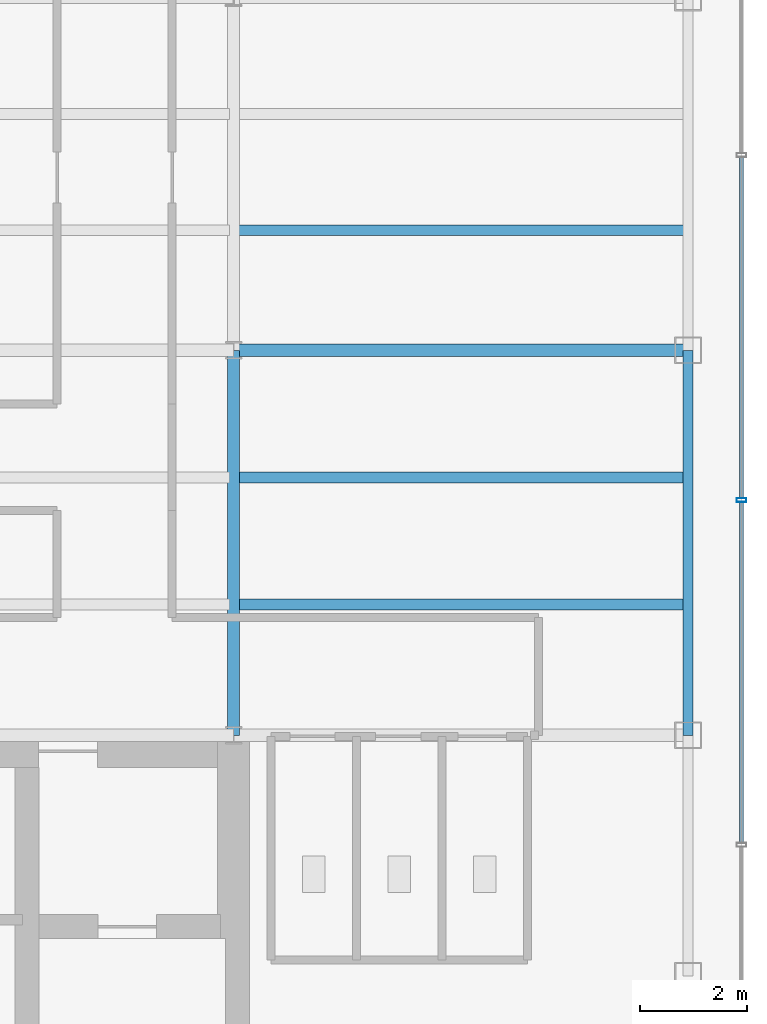
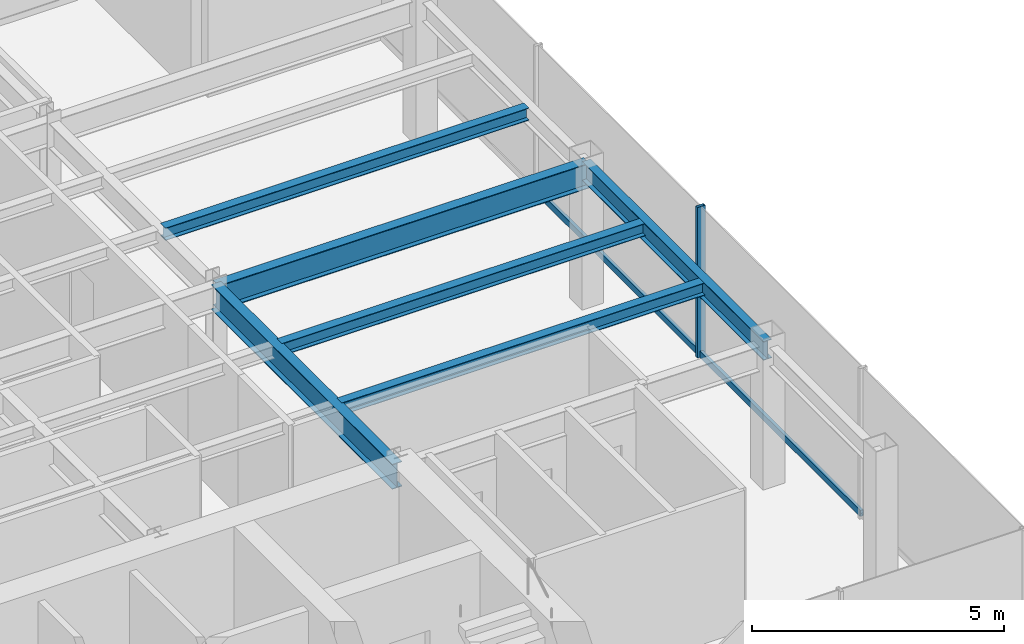
# One storey, part 10 of 22: 6 beams, 3 members, 1 element without a shape of its own.
"""IFC4 building model written with IfcOpenShell, lengths in metres."""

from ifc_helpers import new_model, si_unit, derived_unit, direction, frame, origin, origin_2d, place, context, subcontext, project, spatial, hollow_rectangle, i_section, extrude, source, transform, mapped, material, material_profile, profile_set, type_object, element, aggregate, save


model = new_model("IFC4")

# Units and contexts
model_context = context("Model", 3, precision=1e-05, world=origin(), true_north=direction((0.0, 1.0)))
body_context = subcontext(model_context, "Body", "Model", "MODEL_VIEW")
ifc_project = project(units=[si_unit("LENGTHUNIT", "METRE"), si_unit("AREAUNIT", "SQUARE_METRE"), si_unit("VOLUMEUNIT", "CUBIC_METRE"), si_unit("PLANEANGLEUNIT", "RADIAN"), si_unit("MASSUNIT", "GRAM", prefix="KILO"), derived_unit("THERMALTRANSMITTANCEUNIT", [(si_unit("POWERUNIT", "WATT"), 1), (si_unit("LENGTHUNIT", "METRE"), -2), (si_unit("THERMODYNAMICTEMPERATUREUNIT", "KELVIN"), -1)])], contexts=[model_context])

# Site, building, storey
site_placement = place(None, origin())
site = spatial("IfcSite", under=ifc_project, at=site_placement, CompositionType="ELEMENT")
building_placement = place(site_placement, origin())
building = spatial("IfcBuilding", under=site, at=building_placement, Name="Skarnbrae Concourse Arena and Tower", CompositionType="ELEMENT")
storey_placement = place(building_placement, frame((0.0, 0.0, 262.449951171875)))
storey = spatial("IfcBuildingStorey", under=building, at=storey_placement, Name="L68", CompositionType="ELEMENT", Elevation=262.449951171875)

# Beams
ifc_material_1 = material(Name="Steel CSA G40.21 350W", Category="steel")
ifc_material_profile_1 = material_profile(ifc_material_1, i_section(OverallWidth=0.22802734375, OverallDepth=0.60791015625, WebThickness=0.01123046875, FlangeThickness=0.017333984375, at=origin_2d()), Name="W610X113")
ifc_profile_set_1 = profile_set([ifc_material_profile_1], Name="Steel CSA G40.21 350W")
beam_type_1 = type_object("IfcBeamType", Name="BM-GIRD-W610X113", PredefinedType="BEAM", material=ifc_profile_set_1)
shared_shape_1 = source(origin(), body_context, "Body", "SweptSolid", [
    extrude(i_section(OverallWidth=0.22802734375, OverallDepth=0.60791015625, WebThickness=0.01123046875, FlangeThickness=0.017333984375, at=origin_2d()), origin(), (0.0, 0.0, 1.0), 8.5),
])
beam_1_placement = place(storey_placement, frame((33.5, 21.199951171875, 3.095947265625), z_axis=(1.0, 0.0, 0.0), x_axis=(0.0, 1.0, 0.0)))
element("IfcBeam", 1, at=beam_1_placement, inside=storey, type_object=beam_type_1, Name="L68 Primary E-W girder Y21.2-6", PredefinedType="BEAM", context=body_context, shape_type="MappedRepresentation", body=[
    mapped(shared_shape_1, transform((0.0, 0.0, 0.0))),
])
ifc_material_profile_2 = material_profile(ifc_material_1, i_section(OverallWidth=0.19091796875, OverallDepth=0.4599609375, WebThickness=0.010009765625, FlangeThickness=0.01611328125, at=origin_2d()), Name="W460X82")
ifc_profile_set_2 = profile_set([ifc_material_profile_2], Name="Steel CSA G40.21 350W")
beam_type_2 = type_object("IfcBeamType", Name="BM-SPAN-W460X82", PredefinedType="SPANDREL", material=ifc_profile_set_2)
shared_shape_2 = source(origin(), body_context, "Body", "SweptSolid", [
    extrude(i_section(OverallWidth=0.19091796875, OverallDepth=0.4599609375, WebThickness=0.010009765625, FlangeThickness=0.01611328125, at=origin_2d()), origin(), (0.0, 0.0, 1.0), 7.199951171875),
])
beam_2_placement = place(storey_placement, frame((42.0, 14.0, 3.170166015625), z_axis=(0.0, 1.0, 0.0), x_axis=(-1.0, 0.0, 0.0)))
element("IfcBeam", 2, at=beam_2_placement, inside=storey, type_object=beam_type_2, Name="L68 Perimeter spandrel X42.0-2", PredefinedType="SPANDREL", context=body_context, shape_type="MappedRepresentation", body=[
    mapped(shared_shape_2, transform((0.0, 0.0, 0.0))),
])
shared_shape_3 = source(origin(), body_context, "Body", "SweptSolid", [
    extrude(i_section(OverallWidth=0.22802734375, OverallDepth=0.60791015625, WebThickness=0.01123046875, FlangeThickness=0.017333984375, at=origin_2d()), origin(), (0.0, 0.0, 1.0), 7.199951171875),
])
beam_3_placement = place(storey_placement, frame((33.5, 14.0, 3.095947265625), z_axis=(0.0, 1.0, 0.0), x_axis=(-1.0, 0.0, 0.0)))
element("IfcBeam", 3, at=beam_3_placement, inside=storey, type_object=beam_type_1, Name="L68 Primary N-S girder X33.5-1", PredefinedType="BEAM", context=body_context, shape_type="MappedRepresentation", body=[
    mapped(shared_shape_3, transform((0.0, 0.0, 0.0))),
])
ifc_material_profile_3 = material_profile(ifc_material_1, i_section(OverallWidth=0.202880859375, OverallDepth=0.302978515625, WebThickness=0.007568359375, FlangeThickness=0.01318359375, at=origin_2d()), Name="W310X60")
ifc_profile_set_3 = profile_set([ifc_material_profile_3], Name="Steel CSA G40.21 350W")
beam_type_3 = type_object("IfcBeamType", Name="BM-JOIST-W310X60", PredefinedType="JOIST", material=ifc_profile_set_3)
shared_shape_4 = source(origin(), body_context, "Body", "SweptSolid", [
    extrude(i_section(OverallWidth=0.202880859375, OverallDepth=0.302978515625, WebThickness=0.007568359375, FlangeThickness=0.01318359375, at=origin_2d()), origin(), (0.0, 0.0, 1.0), 8.33984375),
])
for number, where, z_axis, x_axis, name in (
    (4, (33.580078125, 16.447998046875, 3.24853515625), (1.0, 0.0, 0.0), (0.0, 1.0, 0.0), "L68 Secondary floor joist 1.1.6"),
    (5, (33.580078125, 18.823974609375, 3.24853515625), (1.0, 0.0, 0.0), (0.0, 1.0, 0.0), "L68 Secondary floor joist 1.2.6"),
    (6, (33.580078125, 23.444091796875, 3.24853515625), (1.0, 0.0, 0.0), (0.0, 1.0, 0.0), "L68 Secondary floor joist 2.1.6"),
):
    element("IfcBeam", number, at=place(storey_placement, frame(where, z_axis=z_axis, x_axis=x_axis)), inside=storey, type_object=beam_type_3, Name=name, PredefinedType="JOIST", context=body_context, shape_type="MappedRepresentation", body=[
        mapped(shared_shape_4, transform((0.0, 0.0, 0.0))),
    ])

# Curtain wall, members
ifc_material_2 = material(Name="Bronze anodised aluminium 6063-T6", Category="aluminium")
curtain_wall_type = type_object("IfcCurtainWallType", Name="CW-SYS-05-HIGHZONE", PredefinedType="USERDEFINED", material=ifc_material_2)
curtain_wall_placement = place(storey_placement, origin())
curtain_wall = element("IfcCurtainWall", 7, at=curtain_wall_placement, inside=storey, type_object=curtain_wall_type, Name="L68 Unitised curtain wall CW-L68-E04", ObjectType="UNITISED CURTAIN WALL", PredefinedType="USERDEFINED")
ifc_material_profile_4 = material_profile(ifc_material_2, hollow_rectangle(XDim=0.074951171875, YDim=0.14990234375, WallThickness=0.00390625, at=origin_2d()), Name="ALU-TRAN-75X150")
ifc_profile_set_4 = profile_set([ifc_material_profile_4], Name="Bronze anodised aluminium 6063-T6")
member_type_1 = type_object("IfcMemberType", Name="CWT-CW-05", PredefinedType="USERDEFINED", material=ifc_profile_set_4)
shared_shape_5 = source(origin(), body_context, "Body", "SweptSolid", [
    extrude(hollow_rectangle(XDim=0.074951171875, YDim=0.14990234375, WallThickness=0.00390625, at=origin_2d()), origin(), (0.0, 0.0, 1.0), 6.375),
])
member_1_placement = place(storey_placement, frame((43.0, 11.987548828125, 0.074951171875), z_axis=(0.0, 1.0, 0.0), x_axis=(-1.0, 0.0, 0.0)))
member_1 = element("IfcMember", 8, at=member_1_placement, type_object=member_type_1, Name="CW-L68-E04 Transom 2", ObjectType="TRANSOM", PredefinedType="USERDEFINED", context=body_context, shape_type="MappedRepresentation", body=[
    mapped(shared_shape_5, transform((0.0, 0.0, 0.0))),
])
member_2_placement = place(storey_placement, frame((43.0, 18.4375, 0.074951171875), z_axis=(0.0, 1.0, 0.0), x_axis=(-1.0, 0.0, 0.0)))
member_2 = element("IfcMember", 9, at=member_2_placement, type_object=member_type_1, Name="CW-L68-E04 Transom 3", ObjectType="TRANSOM", PredefinedType="USERDEFINED", context=body_context, shape_type="MappedRepresentation", body=[
    mapped(shared_shape_5, transform((0.0, 0.0, 0.0))),
])
ifc_material_profile_5 = material_profile(ifc_material_2, hollow_rectangle(XDim=0.074951171875, YDim=0.179931640625, WallThickness=0.00390625, at=origin_2d()), Name="ALU-MULL-75X180")
ifc_profile_set_5 = profile_set([ifc_material_profile_5], Name="Bronze anodised aluminium 6063-T6")
member_type_2 = type_object("IfcMemberType", Name="CWM-CW-05", PredefinedType="MULLION", material=ifc_profile_set_5)
shared_shape_6 = source(origin(), body_context, "Body", "SweptSolid", [
    extrude(hollow_rectangle(XDim=0.074951171875, YDim=0.179931640625, WallThickness=0.00390625, at=origin_2d()), origin(), (0.0, 0.0, 1.0), 3.650146484375),
])
member_3_placement = place(storey_placement, frame((43.0, 18.39990234375, 0.0), z_axis=(0.0, 0.0, 1.0), x_axis=(0.0, 1.0, 0.0)))
member_3 = element("IfcMember", 10, at=member_3_placement, type_object=member_type_2, Name="CW-L68-E04 Mullion 3", PredefinedType="MULLION", context=body_context, shape_type="MappedRepresentation", body=[
    mapped(shared_shape_6, transform((0.0, 0.0, 0.0))),
])
aggregate(curtain_wall, [member_3, member_1, member_2])

save(model, "model.ifc")
